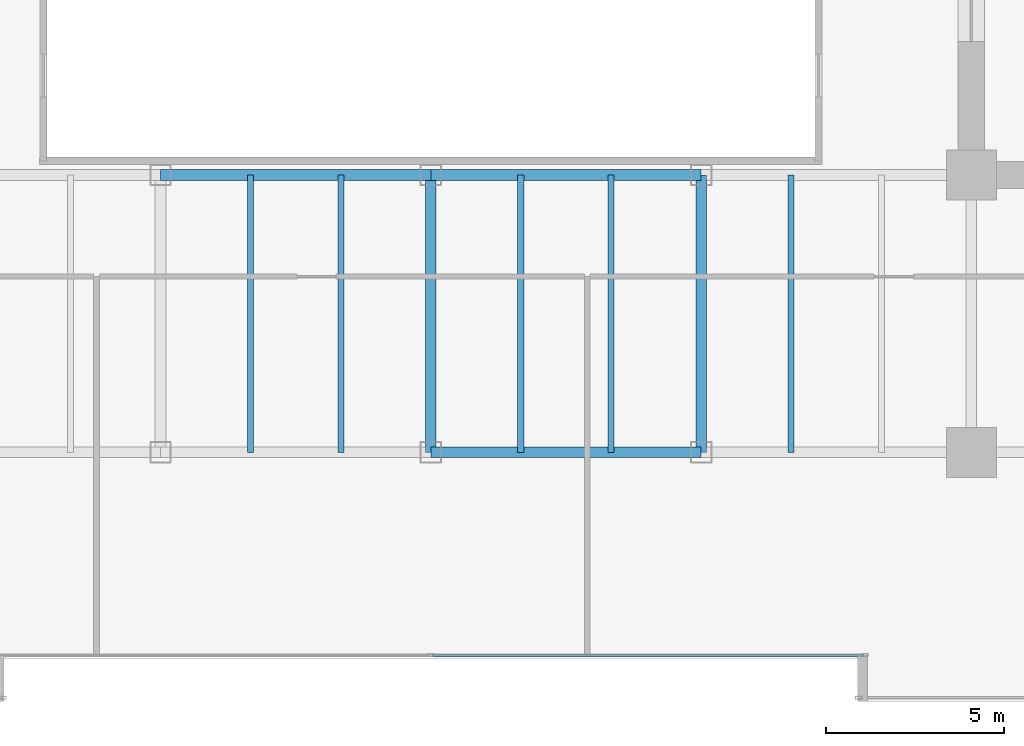
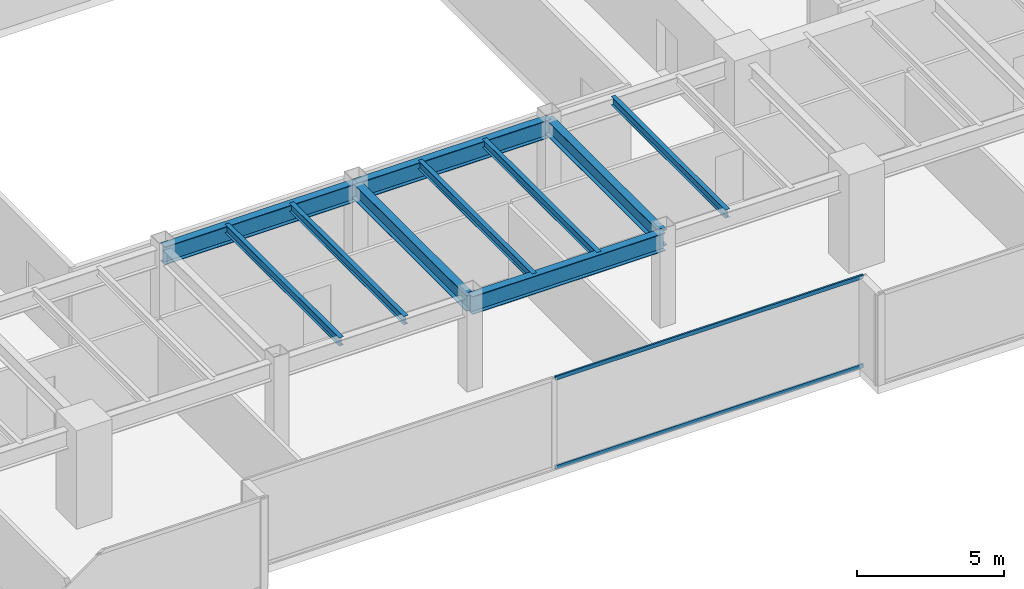
# One storey, part 9 of 35: 10 beams, 2 members, 1 element without a shape of its own.
"""IFC4 building model written with IfcOpenShell, lengths in metres."""

from ifc_helpers import new_model, si_unit, direction, frame, origin, origin_2d, place, context, subcontext, project, spatial, hollow_rectangle, i_section, extrude, source, transform, mapped, material, layer, layer_set, material_profile, profile_set, type_object, type_shapes, element, aggregate, save


model = new_model("IFC4")

# Units and contexts
model_context = context("Model", 3, precision=1e-05, world=origin(), true_north=direction((0.0, 1.0)))
body_context = subcontext(model_context, "Body", "Model", "MODEL_VIEW")
ifc_project = project(units=[si_unit("LENGTHUNIT", "METRE"), si_unit("AREAUNIT", "SQUARE_METRE"), si_unit("VOLUMEUNIT", "CUBIC_METRE"), si_unit("PLANEANGLEUNIT", "RADIAN"), si_unit("MASSUNIT", "GRAM", prefix="KILO")], contexts=[model_context])

# Site, building, storey
site_placement = place(None, origin())
site = spatial("IfcSite", under=ifc_project, at=site_placement, CompositionType="ELEMENT")
building_placement = place(site_placement, origin())
building = spatial("IfcBuilding", under=site, at=building_placement, Name="Haelvirn Gate Laboratories", CompositionType="ELEMENT")
storey_placement = place(building_placement, frame((0.0, 0.0, 86.699951171875)))
storey = spatial("IfcBuildingStorey", under=building, at=storey_placement, Name="L21", CompositionType="ELEMENT", Elevation=86.699951171875)

# Beams
ifc_material_1 = material(Name="Steel SM355", Category="steel")
ifc_material_profile_1 = material_profile(ifc_material_1, i_section(OverallWidth=0.300048828125, OverallDepth=0.75, WebThickness=0.013916015625, FlangeThickness=0.02392578125, at=origin_2d()), Name="H-750x300x14x24")
ifc_profile_set_1 = profile_set([ifc_material_profile_1], Name="Steel SM355")
beam_type_1 = type_object("IfcBeamType", Name="BM-G-750", PredefinedType="BEAM", material=ifc_profile_set_1)
shared_shape_1 = source(origin(), body_context, "Body", "SweptSolid", [
    extrude(i_section(OverallWidth=0.300048828125, OverallDepth=0.75, WebThickness=0.013916015625, FlangeThickness=0.02392578125, at=origin_2d()), origin(), (0.0, 0.0, 1.0), 7.60009765625),
])
for number, where, z_axis, x_axis, name in (
    (1, (37.39990234375, 7.0, 3.405029296875), (1.0, 0.0, 0.0), (0.0, 1.0, 0.0), "L21 Primary Girder Y7.0 (37.4-45.0)"),
    (2, (37.39990234375, 14.800048828125, 3.405029296875), (1.0, 0.0, 0.0), (0.0, 1.0, 0.0), "L21 Primary Girder Y14.8 (37.4-45.0)"),
):
    element("IfcBeam", number, at=place(storey_placement, frame(where, z_axis=z_axis, x_axis=x_axis)), inside=storey, type_object=beam_type_1, Name=name, PredefinedType="BEAM", context=body_context, shape_type="MappedRepresentation", body=[
        mapped(shared_shape_1, transform((0.0, 0.0, 0.0), scale=1.0)),
    ])
shared_shape_2 = source(origin(), body_context, "Body", "SweptSolid", [
    extrude(i_section(OverallWidth=0.300048828125, OverallDepth=0.75, WebThickness=0.013916015625, FlangeThickness=0.02392578125, at=origin_2d()), origin(), (0.0, 0.0, 1.0), 7.599853515625),
])
type_shapes(beam_type_1, [shared_shape_1, shared_shape_2])
beam_placement = place(storey_placement, frame((29.800048828125, 14.800048828125, 3.405029296875), z_axis=(1.0, 0.0, 0.0), x_axis=(0.0, 1.0, 0.0)))
element("IfcBeam", 3, at=beam_placement, inside=storey, type_object=beam_type_1, Name="L21 Primary Girder Y14.8 (29.8-37.4)", PredefinedType="BEAM", context=body_context, shape_type="MappedRepresentation", body=[
    mapped(shared_shape_2, transform((0.0, 0.0, 0.0), scale=1.0)),
])
ifc_material_profile_2 = material_profile(ifc_material_1, i_section(OverallWidth=0.175048828125, OverallDepth=0.35009765625, WebThickness=0.007080078125, FlangeThickness=0.010986328125, at=origin_2d()), Name="H-350x175x7x11")
ifc_profile_set_2 = profile_set([ifc_material_profile_2], Name="Steel SM355")
beam_type_2 = type_object("IfcBeamType", Name="BM-J-350", PredefinedType="JOIST", material=ifc_profile_set_2)
shared_shape_3 = source(origin(), body_context, "Body", "SweptSolid", [
    extrude(i_section(OverallWidth=0.175048828125, OverallDepth=0.35009765625, WebThickness=0.007080078125, FlangeThickness=0.010986328125, at=origin_2d()), origin(), (0.0, 0.0, 1.0), 7.800048828125),
])
type_shapes(beam_type_2, [shared_shape_3])
for number, where, z_axis, x_axis, name in (
    (4, (32.330078125, 7.0, 3.60498046875), (0.0, 1.0, 0.0), (-1.0, 0.0, 0.0), "L21 Composite Lab Joist South X32.33"),
    (5, (34.8701171875, 7.0, 3.60498046875), (0.0, 1.0, 0.0), (-1.0, 0.0, 0.0), "L21 Composite Lab Joist South X34.87"),
    (6, (39.929931640625, 7.0, 3.60498046875), (0.0, 1.0, 0.0), (-1.0, 0.0, 0.0), "L21 Composite Lab Joist South X39.93"),
    (7, (42.469970703125, 7.0, 3.60498046875), (0.0, 1.0, 0.0), (-1.0, 0.0, 0.0), "L21 Composite Lab Joist South X42.47"),
    (8, (47.530029296875, 7.0, 3.60498046875), (0.0, 1.0, 0.0), (-1.0, 0.0, 0.0), "L21 Composite Lab Joist South X47.53"),
):
    element("IfcBeam", number, at=place(storey_placement, frame(where, z_axis=z_axis, x_axis=x_axis)), inside=storey, type_object=beam_type_2, Name=name, PredefinedType="JOIST", context=body_context, shape_type="MappedRepresentation", body=[
        mapped(shared_shape_3, transform((0.0, 0.0, 0.0), scale=1.0)),
    ])
ifc_material_profile_3 = material_profile(ifc_material_1, i_section(OverallWidth=0.300048828125, OverallDepth=0.64990234375, WebThickness=0.012939453125, FlangeThickness=0.02197265625, at=origin_2d()), Name="H-650x300x13x22")
ifc_profile_set_3 = profile_set([ifc_material_profile_3], Name="Steel SM355")
beam_type_3 = type_object("IfcBeamType", Name="BM-G-650", PredefinedType="BEAM", material=ifc_profile_set_3)
shared_shape_4 = source(origin(), body_context, "Body", "SweptSolid", [
    extrude(i_section(OverallWidth=0.300048828125, OverallDepth=0.64990234375, WebThickness=0.012939453125, FlangeThickness=0.02197265625, at=origin_2d()), origin(), (0.0, 0.0, 1.0), 7.800048828125),
])
type_shapes(beam_type_3, [shared_shape_4])
for number, where, z_axis, x_axis, name in (
    (9, (37.39990234375, 7.0, 3.455078125), (0.0, 1.0, 0.0), (-1.0, 0.0, 0.0), "L21 Frame Girder X37.4 (7.0-14.8)"),
    (10, (45.0, 7.0, 3.455078125), (0.0, 1.0, 0.0), (-1.0, 0.0, 0.0), "L21 Frame Girder X45.0 (7.0-14.8)"),
):
    element("IfcBeam", number, at=place(storey_placement, frame(where, z_axis=z_axis, x_axis=x_axis)), inside=storey, type_object=beam_type_3, Name=name, PredefinedType="BEAM", context=body_context, shape_type="MappedRepresentation", body=[
        mapped(shared_shape_4, transform((0.0, 0.0, 0.0), scale=1.0)),
    ])

# Curtain wall, members
ifc_material_2 = material(Name="Anodised bronze unitised aluminium & triple low-E glass", Category="aluminium")
ifc_layer = layer(ifc_material_2, 0.18408203125, Name="CW-SYS-2")
ifc_layer_set = layer_set([ifc_layer], Name="Anodised bronze unitised aluminium & triple low-E glass")
curtain_wall_type = type_object("IfcCurtainWallType", Name="CW-SYS-2", PredefinedType="NOTDEFINED", material=ifc_layer_set)
curtain_wall_placement = place(storey_placement, origin())
curtain_wall = element("IfcCurtainWall", 11, at=curtain_wall_placement, inside=storey, type_object=curtain_wall_type, Name="L21 Unitised Curtain Wall CW-L21-P0-E02-1", PredefinedType="NOTDEFINED")
ifc_material_3 = material(Name="Extruded aluminium 6063-T6 (anodised bronze)", Category="aluminium")
ifc_material_profile_4 = material_profile(ifc_material_3, hollow_rectangle(XDim=0.070068359375, YDim=0.159912109375, WallThickness=0.0048828125, at=origin_2d()), Name="CWT-160x70x5")
ifc_profile_set_4 = profile_set([ifc_material_profile_4], Name="Extruded aluminium 6063-T6 (anodised bronze)")
member_type = type_object("IfcMemberType", Name="CWT-T160", PredefinedType="USERDEFINED", material=ifc_profile_set_4)
shared_shape_5 = source(origin(), body_context, "Body", "SweptSolid", [
    extrude(hollow_rectangle(XDim=0.070068359375, YDim=0.159912109375, WallThickness=0.0048828125, at=origin_2d()), origin(), (0.0, 0.0, 1.0), 12.12744140625),
])
type_shapes(member_type, [shared_shape_5])
member_1_placement = place(storey_placement, frame((37.4375, 1.300048828125, 0.03515625), z_axis=(1.0, 0.0, 0.0), x_axis=(0.0, 1.0, 0.0)))
member_1 = element("IfcMember", 12, at=member_1_placement, type_object=member_type, Name="CW2 transom 2.1", ObjectType="TRANSOM", PredefinedType="USERDEFINED", context=body_context, shape_type="MappedRepresentation", body=[
    mapped(shared_shape_5, transform((0.0, 0.0, 0.0), scale=1.0)),
])
member_2_placement = place(storey_placement, frame((37.4375, 1.300048828125, 3.7451171875), z_axis=(1.0, 0.0, 0.0), x_axis=(0.0, 1.0, 0.0)))
member_2 = element("IfcMember", 13, at=member_2_placement, type_object=member_type, Name="CW2 transom 2.2", ObjectType="TRANSOM", PredefinedType="USERDEFINED", context=body_context, shape_type="MappedRepresentation", body=[
    mapped(shared_shape_5, transform((0.0, 0.0, 0.0), scale=1.0)),
])
aggregate(curtain_wall, [member_1, member_2])

save(model, "model.ifc")
